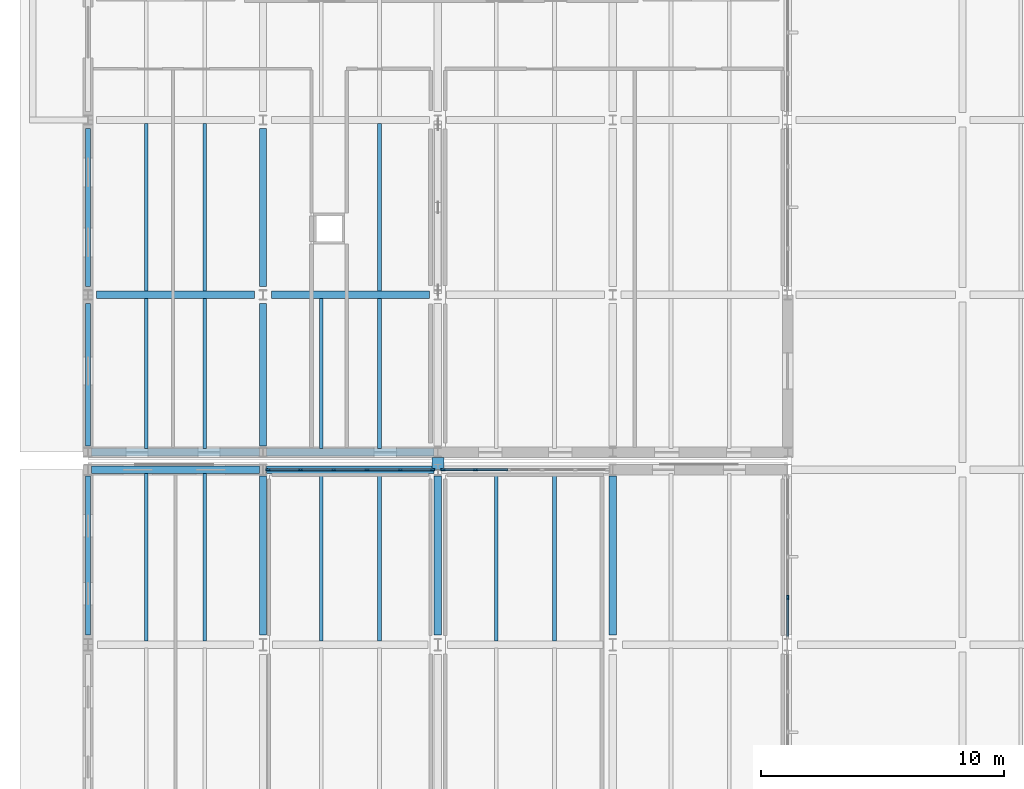
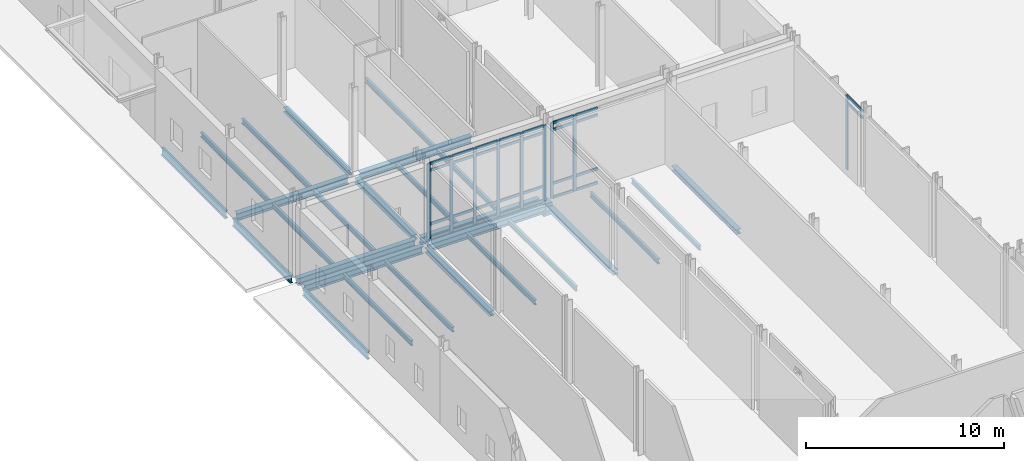
# One storey, part 18 of 89: 39 members, 28 beams, 3 elements without a shape of their own.
"""IFC4 building model written with IfcOpenShell, lengths in metres."""

import ifcopenshell
import ifcopenshell.guid

model = None  # the IFC model being written
_history = None  # IfcOwnerHistory: only IFC2X3 demands one
_inside = {}  # id of a spatial element -> (the spatial element, [elements in it])
_under = {}  # id of a project, library or spatial element -> (it, [spatial elements below it])
_declared = {}  # id of a project -> (the project, [libraries it declares])
_typed = {}  # id of a type object -> (the type object, [elements of that type])
_made_of = {}  # id of a material, layer set ... -> (it, [elements and type objects made of it])


def new_model(schema):
    """Start an empty IFC model of exactly this schema.

    Asked for "IFC4X3", IfcOpenShell would pick the latest addendum, in which some entities
    have other attributes; the version numbers below select the first issue.
    IFC2X3 requires an IfcOwnerHistory on every rooted entity: one is made here for all.
    """
    global model, _history
    if schema == "IFC4X3":
        model = ifcopenshell.file(schema_version=(4, 3, 0, 0))
    else:
        model = ifcopenshell.file(schema=schema)
    _inside.clear()
    _under.clear()
    _declared.clear()
    _typed.clear()
    _made_of.clear()
    _history = None
    if model.schema == "IFC2X3":
        org = make("IfcOrganization", Name="unknown")
        user = make(
            "IfcPersonAndOrganization",
            ThePerson=make("IfcPerson", FamilyName="unknown"),
            TheOrganization=org,
        )
        app = make(
            "IfcApplication",
            ApplicationDeveloper=org,
            Version="unknown",
            ApplicationFullName="unknown",
            ApplicationIdentifier="unknown",
        )
        _history = make(
            "IfcOwnerHistory",
            OwningUser=user,
            OwningApplication=app,
            ChangeAction="ADDED",
            CreationDate=0,
        )
    return model


def make(cls, **values):
    """One entity of the class cls with the attributes given. An attribute that is None is left unset."""
    return model.create_entity(
        cls, **{name: value for name, value in values.items() if value is not None}
    )


def rooted(cls, **values):
    """An entity with a GlobalId (a new one), such as an element, a storey or a relation."""
    return make(cls, GlobalId=ifcopenshell.guid.new(), OwnerHistory=_history, **values)


def si_unit(unit_type, name, prefix=None):
    """IfcSIUnit, for example si_unit("LENGTHUNIT", "METRE", prefix="MILLI")."""
    return make("IfcSIUnit", UnitType=unit_type, Prefix=prefix, Name=name)


def assignment(units):
    """IfcUnitAssignment: the units of a project."""
    return None if units is None else make("IfcUnitAssignment", Units=units)


def point(xyz):
    """IfcCartesianPoint."""
    return None if xyz is None else make("IfcCartesianPoint", Coordinates=xyz)


def direction(xyz):
    """IfcDirection."""
    return None if xyz is None else make("IfcDirection", DirectionRatios=xyz)


def frame(location, z_axis=None, x_axis=None):
    """IfcAxis2Placement3D, a coordinate frame: its origin and axes. An axis left out is left unset."""
    return make(
        "IfcAxis2Placement3D",
        Location=point(location),
        Axis=direction(z_axis),
        RefDirection=direction(x_axis),
    )


def frame_2d(location, x_axis=None):
    """IfcAxis2Placement2D, a coordinate frame in the plane: its origin and x axis."""
    return make(
        "IfcAxis2Placement2D", Location=point(location), RefDirection=direction(x_axis)
    )


def origin():
    """The frame at (0, 0, 0) with its axes left unset."""
    return frame((0.0, 0.0, 0.0))


def origin_2d():
    """The frame at (0, 0) in the plane with its x axis left unset."""
    return frame_2d((0.0, 0.0))


def place(relative_to, where):
    """IfcLocalPlacement: puts the frame where relative to a parent placement (None: the world)."""
    return make(
        "IfcLocalPlacement", PlacementRelTo=relative_to, RelativePlacement=where
    )


def context(
    kind, dimensions, precision=None, world=None, true_north=None, identifier=None
):
    """IfcGeometricRepresentationContext, for example the 3D "Model" context."""
    return make(
        "IfcGeometricRepresentationContext",
        ContextIdentifier=identifier,
        ContextType=kind,
        CoordinateSpaceDimension=dimensions,
        Precision=precision,
        WorldCoordinateSystem=world,
        TrueNorth=true_north,
    )


def subcontext(parent, identifier, kind, view, scale=None):
    """IfcGeometricRepresentationSubContext, for example "Body" below "Model"."""
    return make(
        "IfcGeometricRepresentationSubContext",
        ContextIdentifier=identifier,
        ContextType=kind,
        ParentContext=parent,
        TargetScale=scale,
        TargetView=view,
    )


def project(units=None, contexts=None):
    """IfcProject with its units and contexts."""
    return rooted(
        "IfcProject",
        Name="project",
        RepresentationContexts=contexts,
        UnitsInContext=assignment(units),
    )


def spatial(cls, under=None, at=None, **own):
    """A site, building, storey or space (cls), placed at a placement, below another one or the project."""
    s = rooted(cls, ObjectPlacement=at, **own)
    if under is not None:
        _under.setdefault(under.id(), (under, []))[1].append(s)
    return s


def profile(cls, at=None, kind="AREA", **sizes):
    """A parametric profile (cls). Its sizes go by their IFC names, for example OverallWidth=200.0."""
    return make(cls, ProfileType=kind, Position=at, **sizes)


def rectangle(**sizes):
    """IfcRectangleProfileDef."""
    return profile("IfcRectangleProfileDef", **sizes)


def i_section(**sizes):
    """IfcIShapeProfileDef."""
    return profile("IfcIShapeProfileDef", **sizes)


def extrude(swept, where, along, depth):
    """IfcExtrudedAreaSolid: the profile swept, set in the frame where, extruded along a direction by depth."""
    return make(
        "IfcExtrudedAreaSolid",
        SweptArea=swept,
        Position=where,
        ExtrudedDirection=direction(along),
        Depth=depth,
    )


def shape(context_of_items, identifier, shape_type, items):
    """IfcShapeRepresentation: the items that make up one representation, for example the "Body"."""
    return make(
        "IfcShapeRepresentation",
        ContextOfItems=context_of_items,
        RepresentationIdentifier=identifier,
        RepresentationType=shape_type,
        Items=items,
    )


def material(Name=None, Category=None):
    """IfcMaterial."""
    return make("IfcMaterial", Name=Name, Category=Category)


def layer(
    of_material, thickness, ventilated=None, Name=None, Category=None, Priority=None
):
    """IfcMaterialLayer: one layer of a wall or slab, of a material (None: an air gap)."""
    return make(
        "IfcMaterialLayer",
        Material=of_material,
        LayerThickness=thickness,
        IsVentilated=ventilated,
        Name=Name,
        Category=Category,
        Priority=Priority,
    )


def layer_set(layers, Name=None):
    """IfcMaterialLayerSet."""
    return make("IfcMaterialLayerSet", MaterialLayers=layers, LayerSetName=Name)


def material_profile(
    of_material, cross_section, Name=None, Category=None, Priority=None
):
    """IfcMaterialProfile: a cross section and its material."""
    return make(
        "IfcMaterialProfile",
        Name=Name,
        Material=of_material,
        Profile=cross_section,
        Priority=Priority,
        Category=Category,
    )


def profile_set(profiles, Name=None, composite=None):
    """IfcMaterialProfileSet."""
    return make(
        "IfcMaterialProfileSet",
        Name=Name,
        MaterialProfiles=profiles,
        CompositeProfile=composite,
    )


def made_of(thing, what):
    """Note that an element or type object is made of a material, layer set ...; save() writes the relation."""
    if what is not None:
        _made_of.setdefault(what.id(), (what, []))[1].append(thing)
    return thing


def type_object(cls, material=None, **own):
    """A type object (cls), such as IfcWallType, which elements share."""
    return made_of(rooted(cls, **own), material)


def element(
    cls,
    number,
    at=None,
    inside=None,
    cuts=None,
    type_object=None,
    material=None,
    context=None,
    identifier="Body",
    shape_type=None,
    held_by="IfcProductDefinitionShape",
    body=None,
    shapes=None,
    **own,
):
    """One element of the class cls, such as IfcWall. Its Tag is "e" and its number.

    at: its placement. inside: the storey or other place that contains it. cuts: it is an
    opening in that element (IfcRelVoidsElement). A single representation is given by context,
    identifier, shape_type and body (its items); several are given by shapes. held_by: the class
    of the entity that holds the representations. save() writes the other relations.
    """
    e = rooted(cls, Tag="e%d" % number, ObjectPlacement=at, **own)
    if body is not None:
        shapes = [shape(context, identifier, shape_type, body)]
    if shapes is not None:
        e.Representation = make(held_by, Representations=shapes)
    if inside is not None:
        _inside.setdefault(inside.id(), (inside, []))[1].append(e)
    if cuts is not None:
        rooted(
            "IfcRelVoidsElement", RelatingBuildingElement=cuts, RelatedOpeningElement=e
        )
    if type_object is not None:
        _typed.setdefault(type_object.id(), (type_object, []))[1].append(e)
    return made_of(e, material)


def aggregate(whole, parts):
    """IfcRelAggregates: a whole, such as a stair, and the parts it consists of."""
    return rooted("IfcRelAggregates", RelatingObject=whole, RelatedObjects=parts)


def save(model, path):
    """Write the relations noted so far, then the file.

    IfcRelAggregates (storeys below a building ...), IfcRelContainedInSpatialStructure (elements
    in a storey), IfcRelDefinesByType, IfcRelAssociatesMaterial and IfcRelDeclares: one each for
    every whole, place, type object, material and project.
    """
    for whole, parts in _under.values():
        aggregate(whole, parts)
    for where, things in _inside.values():
        rooted(
            "IfcRelContainedInSpatialStructure",
            RelatedElements=things,
            RelatingStructure=where,
        )
    for kind, things in _typed.values():
        rooted("IfcRelDefinesByType", RelatedObjects=things, RelatingType=kind)
    for what, things in _made_of.values():
        rooted("IfcRelAssociatesMaterial", RelatedObjects=things, RelatingMaterial=what)
    for by, libraries in _declared.values():
        rooted("IfcRelDeclares", RelatingContext=by, RelatedDefinitions=libraries)
    model.write(path)


model = new_model("IFC4")

# Units and contexts
model_context = context("Model", 3, precision=1e-05, world=origin(), true_north=direction((0.0, 1.0)))
body_context = subcontext(model_context, "Body", "Model", "MODEL_VIEW")
ifc_project = project(units=[si_unit("LENGTHUNIT", "METRE"), si_unit("AREAUNIT", "SQUARE_METRE"), si_unit("VOLUMEUNIT", "CUBIC_METRE"), si_unit("PLANEANGLEUNIT", "RADIAN"), si_unit("MASSUNIT", "GRAM", prefix="KILO")], contexts=[model_context])

# Site, building, storey
site_placement = place(None, origin())
site = spatial("IfcSite", under=ifc_project, at=site_placement, CompositionType="ELEMENT")
building_placement = place(site_placement, origin())
building = spatial("IfcBuilding", under=site, at=building_placement, Name="Zarrinpeak Specialist Clinic", CompositionType="ELEMENT")
storey_placement = place(building_placement, origin())
storey = spatial("IfcBuildingStorey", under=building, at=storey_placement, Name="L00", CompositionType="ELEMENT", Elevation=0.0)

# Beams
ifc_material_1 = material(Name="Steel S355", Category="steel")
ifc_material_profile_1 = material_profile(ifc_material_1, i_section(OverallWidth=0.300048828125, OverallDepth=0.2900390625, WebThickness=0.008544921875, FlangeThickness=0.013916015625, FilletRadius=0.027099609375, at=origin_2d()), Name="HEA 300")
ifc_profile_set_1 = profile_set([ifc_material_profile_1], Name="Steel S355")
beam_type_1 = type_object("IfcBeamType", Name="BM-HEA300", PredefinedType="BEAM", material=ifc_profile_set_1)
beam_1_placement = place(storey_placement, frame((7.199951171875, 43.597900390625, -0.39501953125), z_axis=(0.0, 1.0, 0.0), x_axis=(-1.0, 0.0, 0.0)))
element("IfcBeam", 1, at=beam_1_placement, inside=storey, type_object=beam_type_1, Name="L00 Primary Beam BM-L00-Y0224", PredefinedType="BEAM", context=body_context, shape_type="SweptSolid", body=[
    extrude(i_section(OverallWidth=0.300048828125, OverallDepth=0.2900390625, WebThickness=0.008544921875, FlangeThickness=0.013916015625, FilletRadius=0.027099609375, at=origin_2d()), origin(), (0.0, 0.0, 1.0), 6.55419921875),
])
beam_2_placement = place(storey_placement, frame((7.199951171875, 51.367919921875, -0.405029296875), z_axis=(0.0, 1.0, 0.0), x_axis=(-1.0, 0.0, 0.0)))
element("IfcBeam", 2, at=beam_2_placement, inside=storey, type_object=beam_type_1, Name="L00 Primary Beam BM-L00-Y0225", PredefinedType="BEAM", context=body_context, shape_type="SweptSolid", body=[
    extrude(i_section(OverallWidth=0.300048828125, OverallDepth=0.2900390625, WebThickness=0.008544921875, FlangeThickness=0.013916015625, FilletRadius=0.027099609375, at=origin_2d()), origin(), (0.0, 0.0, 1.0), 5.884033203125),
])
beam_3_placement = place(storey_placement, frame((7.199951171875, 57.947998046875, -0.405029296875), z_axis=(0.0, 1.0, 0.0), x_axis=(-1.0, 0.0, 0.0)))
element("IfcBeam", 3, at=beam_3_placement, inside=storey, type_object=beam_type_1, Name="L00 Primary Beam BM-L00-Y0226", PredefinedType="BEAM", context=body_context, shape_type="SweptSolid", body=[
    extrude(i_section(OverallWidth=0.300048828125, OverallDepth=0.2900390625, WebThickness=0.008544921875, FlangeThickness=0.013916015625, FilletRadius=0.027099609375, at=origin_2d()), origin(), (0.0, 0.0, 1.0), 6.50390625),
])
for number, where, z_axis, x_axis, name in (
    (4, (14.39990234375, 43.597900390625, -0.39501953125), (0.0, 1.0, 0.0), (-1.0, 0.0, 0.0), "L00 Primary Beam BM-L00-Y0236"),
    (5, (21.60009765625, 43.597900390625, -0.39501953125), (0.0, 1.0, 0.0), (-1.0, 0.0, 0.0), "L00 Primary Beam BM-L00-Y0248"),
):
    element("IfcBeam", number, at=place(storey_placement, frame(where, z_axis=z_axis, x_axis=x_axis)), inside=storey, type_object=beam_type_1, Name=name, PredefinedType="BEAM", context=body_context, shape_type="SweptSolid", body=[
        extrude(i_section(OverallWidth=0.300048828125, OverallDepth=0.2900390625, WebThickness=0.008544921875, FlangeThickness=0.013916015625, FilletRadius=0.027099609375, at=origin_2d()), origin(), (0.0, 0.0, 1.0), 6.55419921875),
    ])
ifc_material_profile_2 = material_profile(ifc_material_1, i_section(OverallWidth=0.300048828125, OverallDepth=0.43994140625, WebThickness=0.011474609375, FlangeThickness=0.02099609375, FilletRadius=0.027099609375, at=origin_2d()), Name="HEA 450")
ifc_profile_set_2 = profile_set([ifc_material_profile_2], Name="Steel S355")
beam_type_2 = type_object("IfcBeamType", Name="BM-HEA450", PredefinedType="BEAM", material=ifc_profile_set_2)
for number, where, z_axis, x_axis, name in (
    (6, (0.14794921875, 50.39990234375, -0.469970703125), (1.0, 0.0, 0.0), (0.0, 1.0, 0.0), "L00 Primary Floor Girder BM-L00-X0102"),
    (7, (7.347900390625, 50.39990234375, -0.469970703125), (1.0, 0.0, 0.0), (0.0, 1.0, 0.0), "L00 Primary Floor Girder BM-L00-X0103"),
    (8, (0.14794921875, 51.1201171875, -0.47998046875), (1.0, 0.0, 0.0), (0.0, 1.0, 0.0), "L00 Primary Floor Girder BM-L00-X0124"),
    (9, (7.347900390625, 51.1201171875, -0.47998046875), (1.0, 0.0, 0.0), (0.0, 1.0, 0.0), "L00 Primary Floor Girder BM-L00-X0125"),
):
    element("IfcBeam", number, at=place(storey_placement, frame(where, z_axis=z_axis, x_axis=x_axis)), inside=storey, type_object=beam_type_2, Name=name, PredefinedType="BEAM", context=body_context, shape_type="SweptSolid", body=[
        extrude(i_section(OverallWidth=0.300048828125, OverallDepth=0.43994140625, WebThickness=0.011474609375, FlangeThickness=0.02099609375, FilletRadius=0.027099609375, at=origin_2d()), origin(), (0.0, 0.0, 1.0), 6.904052734375),
    ])
beam_4_placement = place(storey_placement, frame((0.347900390625, 57.60009765625, -0.47998046875), z_axis=(1.0, 0.0, 0.0), x_axis=(0.0, 1.0, 0.0)))
element("IfcBeam", 10, at=beam_4_placement, inside=storey, type_object=beam_type_2, Name="L00 Primary Floor Girder BM-L00-X0128", PredefinedType="BEAM", context=body_context, shape_type="SweptSolid", body=[
    extrude(i_section(OverallWidth=0.300048828125, OverallDepth=0.43994140625, WebThickness=0.011474609375, FlangeThickness=0.02099609375, FilletRadius=0.027099609375, at=origin_2d()), origin(), (0.0, 0.0, 1.0), 6.504150390625),
])
beam_5_placement = place(storey_placement, frame((7.548095703125, 57.60009765625, -0.47998046875), z_axis=(1.0, 0.0, 0.0), x_axis=(0.0, 1.0, 0.0)))
element("IfcBeam", 11, at=beam_5_placement, inside=storey, type_object=beam_type_2, Name="L00 Primary Floor Girder BM-L00-X0129", PredefinedType="BEAM", context=body_context, shape_type="SweptSolid", body=[
    extrude(i_section(OverallWidth=0.300048828125, OverallDepth=0.43994140625, WebThickness=0.011474609375, FlangeThickness=0.02099609375, FilletRadius=0.027099609375, at=origin_2d()), origin(), (0.0, 0.0, 1.0), 6.50390625),
])
ifc_material_profile_3 = material_profile(ifc_material_1, i_section(OverallWidth=0.14990234375, OverallDepth=0.300048828125, WebThickness=0.007080078125, FlangeThickness=0.0107421875, FilletRadius=0.014892578125, at=origin_2d()), Name="IPE 300")
ifc_profile_set_3 = profile_set([ifc_material_profile_3], Name="Steel S355")
beam_type_3 = type_object("IfcBeamType", Name="BM-JST300", PredefinedType="JOIST", material=ifc_profile_set_3)
for number, where, z_axis, x_axis, name in (
    (12, (2.39990234375, 43.347900390625, -0.39990234375), (0.0, 1.0, 0.0), (-1.0, 0.0, 0.0), "L00 Composite Floor Joist JST-L00-0419"),
    (13, (4.800048828125, 43.347900390625, -0.39990234375), (0.0, 1.0, 0.0), (-1.0, 0.0, 0.0), "L00 Composite Floor Joist JST-L00-0420"),
    (14, (9.60009765625, 43.347900390625, -0.39990234375), (0.0, 1.0, 0.0), (-1.0, 0.0, 0.0), "L00 Composite Floor Joist JST-L00-0433"),
    (15, (12.0, 43.347900390625, -0.39990234375), (0.0, 1.0, 0.0), (-1.0, 0.0, 0.0), "L00 Composite Floor Joist JST-L00-0434"),
    (16, (16.800048828125, 43.347900390625, -0.39990234375), (0.0, 1.0, 0.0), (-1.0, 0.0, 0.0), "L00 Composite Floor Joist JST-L00-0447"),
    (17, (19.199951171875, 43.347900390625, -0.39990234375), (0.0, 1.0, 0.0), (-1.0, 0.0, 0.0), "L00 Composite Floor Joist JST-L00-0448"),
):
    element("IfcBeam", number, at=place(storey_placement, frame(where, z_axis=z_axis, x_axis=x_axis)), inside=storey, type_object=beam_type_3, Name=name, PredefinedType="JOIST", context=body_context, shape_type="SweptSolid", body=[
        extrude(i_section(OverallWidth=0.14990234375, OverallDepth=0.300048828125, WebThickness=0.007080078125, FlangeThickness=0.0107421875, FilletRadius=0.014892578125, at=origin_2d()), origin(), (0.0, 0.0, 1.0), 6.904052734375),
    ])
for number, where, z_axis, x_axis, name in (
    (18, (2.39990234375, 51.26806640625, -0.409912109375), (0.0, 1.0, 0.0), (-1.0, 0.0, 0.0), "L00 Composite Floor Joist JST-L00-0541"),
    (19, (4.800048828125, 51.26806640625, -0.409912109375), (0.0, 1.0, 0.0), (-1.0, 0.0, 0.0), "L00 Composite Floor Joist JST-L00-0542"),
):
    element("IfcBeam", number, at=place(storey_placement, frame(where, z_axis=z_axis, x_axis=x_axis)), inside=storey, type_object=beam_type_3, Name=name, PredefinedType="JOIST", context=body_context, shape_type="SweptSolid", body=[
        extrude(i_section(OverallWidth=0.14990234375, OverallDepth=0.300048828125, WebThickness=0.007080078125, FlangeThickness=0.0107421875, FilletRadius=0.014892578125, at=origin_2d()), origin(), (0.0, 0.0, 1.0), 6.183837890625),
    ])
for number, where, z_axis, x_axis, name in (
    (20, (2.39990234375, 57.748046875, -0.409912109375), (0.0, 1.0, 0.0), (-1.0, 0.0, 0.0), "L00 Composite Floor Joist JST-L00-0543"),
    (21, (4.800048828125, 57.748046875, -0.409912109375), (0.0, 1.0, 0.0), (-1.0, 0.0, 0.0), "L00 Composite Floor Joist JST-L00-0544"),
):
    element("IfcBeam", number, at=place(storey_placement, frame(where, z_axis=z_axis, x_axis=x_axis)), inside=storey, type_object=beam_type_3, Name=name, PredefinedType="JOIST", context=body_context, shape_type="SweptSolid", body=[
        extrude(i_section(OverallWidth=0.14990234375, OverallDepth=0.300048828125, WebThickness=0.007080078125, FlangeThickness=0.0107421875, FilletRadius=0.014892578125, at=origin_2d()), origin(), (0.0, 0.0, 1.0), 6.904052734375),
    ])
for number, where, z_axis, x_axis, name in (
    (22, (9.60009765625, 51.26806640625, -0.409912109375), (0.0, 1.0, 0.0), (-1.0, 0.0, 0.0), "L00 Composite Floor Joist JST-L00-0547"),
    (23, (12.0, 51.26806640625, -0.409912109375), (0.0, 1.0, 0.0), (-1.0, 0.0, 0.0), "L00 Composite Floor Joist JST-L00-0548"),
):
    element("IfcBeam", number, at=place(storey_placement, frame(where, z_axis=z_axis, x_axis=x_axis)), inside=storey, type_object=beam_type_3, Name=name, PredefinedType="JOIST", context=body_context, shape_type="SweptSolid", body=[
        extrude(i_section(OverallWidth=0.14990234375, OverallDepth=0.300048828125, WebThickness=0.007080078125, FlangeThickness=0.0107421875, FilletRadius=0.014892578125, at=origin_2d()), origin(), (0.0, 0.0, 1.0), 6.183837890625),
    ])
beam_6_placement = place(storey_placement, frame((12.0, 57.748046875, -0.409912109375), z_axis=(0.0, 1.0, 0.0), x_axis=(-1.0, 0.0, 0.0)))
element("IfcBeam", 24, at=beam_6_placement, inside=storey, type_object=beam_type_3, Name="L00 Composite Floor Joist JST-L00-0549", PredefinedType="JOIST", context=body_context, shape_type="SweptSolid", body=[
    extrude(i_section(OverallWidth=0.14990234375, OverallDepth=0.300048828125, WebThickness=0.007080078125, FlangeThickness=0.0107421875, FilletRadius=0.014892578125, at=origin_2d()), origin(), (0.0, 0.0, 1.0), 6.904052734375),
])
ifc_material_2 = material(Name="Concrete C40/50", Category="concrete")
ifc_material_profile_4 = material_profile(ifc_material_2, rectangle(XDim=0.5, YDim=0.75, at=origin_2d()), Name="RC 500x750")
ifc_profile_set_4 = profile_set([ifc_material_profile_4], Name="Concrete C40/50")
beam_type_4 = type_object("IfcBeamType", Name="BM-RC500", PredefinedType="BEAM", material=ifc_profile_set_4)
beam_7_placement = place(storey_placement, frame((14.39990234375, 50.39990234375, -0.625), z_axis=(0.0, 1.0, 0.0), x_axis=(-1.0, 0.0, 0.0)))
element("IfcBeam", 25, at=beam_7_placement, inside=storey, type_object=beam_type_4, Name="L00 500 mm Bridge Seat Corbel SJ-4", PredefinedType="BEAM", context=body_context, shape_type="SweptSolid", body=[
    extrude(rectangle(XDim=0.5, YDim=0.75, at=origin_2d()), origin(), (0.0, 0.0, 1.0), 0.5),
])
ifc_material_profile_5 = material_profile(ifc_material_1, i_section(OverallWidth=0.18994140625, OverallDepth=0.449951171875, WebThickness=0.009521484375, FlangeThickness=0.0146484375, FilletRadius=0.02099609375, at=origin_2d()), Name="IPE 450")
ifc_profile_set_5 = profile_set([ifc_material_profile_5], Name="Steel S355")
beam_type_5 = type_object("IfcBeamType", Name="BM-SP450", PredefinedType="SPANDREL", material=ifc_profile_set_5)
beam_8_placement = place(storey_placement, frame((0.0, 43.597900390625, -0.47509765625), z_axis=(0.0, 1.0, 0.0), x_axis=(-1.0, 0.0, 0.0)))
element("IfcBeam", 26, at=beam_8_placement, inside=storey, type_object=beam_type_5, Name="L00 Perimeter Spandrel Beam BM-L00-Y0214", PredefinedType="SPANDREL", context=body_context, shape_type="SweptSolid", body=[
    extrude(i_section(OverallWidth=0.18994140625, OverallDepth=0.449951171875, WebThickness=0.009521484375, FlangeThickness=0.0146484375, FilletRadius=0.02099609375, at=origin_2d()), origin(), (0.0, 0.0, 1.0), 6.55419921875),
])
beam_9_placement = place(storey_placement, frame((0.0, 51.367919921875, -0.485107421875), z_axis=(0.0, 1.0, 0.0), x_axis=(-1.0, 0.0, 0.0)))
element("IfcBeam", 27, at=beam_9_placement, inside=storey, type_object=beam_type_5, Name="L00 Perimeter Spandrel Beam BM-L00-Y0215", PredefinedType="SPANDREL", context=body_context, shape_type="SweptSolid", body=[
    extrude(i_section(OverallWidth=0.18994140625, OverallDepth=0.449951171875, WebThickness=0.009521484375, FlangeThickness=0.0146484375, FilletRadius=0.02099609375, at=origin_2d()), origin(), (0.0, 0.0, 1.0), 5.884033203125),
])
beam_10_placement = place(storey_placement, frame((0.0, 57.947998046875, -0.485107421875), z_axis=(0.0, 1.0, 0.0), x_axis=(-1.0, 0.0, 0.0)))
element("IfcBeam", 28, at=beam_10_placement, inside=storey, type_object=beam_type_5, Name="L00 Perimeter Spandrel Beam BM-L00-Y0216", PredefinedType="SPANDREL", context=body_context, shape_type="SweptSolid", body=[
    extrude(i_section(OverallWidth=0.18994140625, OverallDepth=0.449951171875, WebThickness=0.009521484375, FlangeThickness=0.0146484375, FilletRadius=0.02099609375, at=origin_2d()), origin(), (0.0, 0.0, 1.0), 6.50390625),
])

# Curtain wall, members
ifc_material_3 = material(Name="Anodised Aluminium Alloy 6063-T6", Category="aluminium")
ifc_layer_1 = layer(ifc_material_3, 0.1650390625)
ifc_layer_set_1 = layer_set([ifc_layer_1], Name="Anodised Aluminium Alloy 6063-T6")
curtain_wall_type_1 = type_object("IfcCurtainWallType", Name="CW-CLINIC", PredefinedType="NOTDEFINED", material=ifc_layer_set_1)
curtain_wall_1_placement = place(storey_placement, origin())
curtain_wall_1 = element("IfcCurtainWall", 29, at=curtain_wall_1_placement, inside=storey, type_object=curtain_wall_type_1, Name="L00 V1 Unitised Curtain Wall CW-L00-V1-001", PredefinedType="NOTDEFINED")
ifc_material_profile_6 = material_profile(ifc_material_3, rectangle(XDim=0.074951171875, YDim=0.179931640625, at=origin_2d()), Name="ALU 75x180")
ifc_profile_set_6 = profile_set([ifc_material_profile_6], Name="Anodised Aluminium Alloy 6063-T6")
member_type_1 = type_object("IfcMemberType", Name="CWM-75", PredefinedType="MULLION", material=ifc_profile_set_6)
member_1_placement = place(storey_placement, frame((14.1875, 50.39990234375, 0.0), z_axis=(0.0, 0.0, 1.0), x_axis=(0.0, -1.0, 0.0)))
member_1 = element("IfcMember", 30, at=member_1_placement, type_object=member_type_1, Name="CW-03 mullion 1", PredefinedType="MULLION", context=body_context, shape_type="SweptSolid", body=[
    extrude(rectangle(XDim=0.074951171875, YDim=0.179931640625, at=origin_2d()), origin(), (0.0, 0.0, 1.0), 4.6650390625),
])
member_2_placement = place(storey_placement, frame((12.85498046875, 50.39990234375, 0.0), z_axis=(0.0, 0.0, 1.0), x_axis=(0.0, -1.0, 0.0)))
member_2 = element("IfcMember", 31, at=member_2_placement, type_object=member_type_1, Name="CW-03 mullion 2", PredefinedType="MULLION", context=body_context, shape_type="SweptSolid", body=[
    extrude(rectangle(XDim=0.074951171875, YDim=0.179931640625, at=origin_2d()), origin(), (0.0, 0.0, 1.0), 4.6650390625),
])
member_3_placement = place(storey_placement, frame((11.485107421875, 50.39990234375, 0.0), z_axis=(0.0, 0.0, 1.0), x_axis=(0.0, -1.0, 0.0)))
member_3 = element("IfcMember", 32, at=member_3_placement, type_object=member_type_1, Name="CW-03 mullion 3", PredefinedType="MULLION", context=body_context, shape_type="SweptSolid", body=[
    extrude(rectangle(XDim=0.074951171875, YDim=0.179931640625, at=origin_2d()), origin(), (0.0, 0.0, 1.0), 4.6650390625),
])
member_4_placement = place(storey_placement, frame((10.114990234375, 50.39990234375, 0.0), z_axis=(0.0, 0.0, 1.0), x_axis=(0.0, -1.0, 0.0)))
member_4 = element("IfcMember", 33, at=member_4_placement, type_object=member_type_1, Name="CW-03 mullion 4", PredefinedType="MULLION", context=body_context, shape_type="SweptSolid", body=[
    extrude(rectangle(XDim=0.074951171875, YDim=0.179931640625, at=origin_2d()), origin(), (0.0, 0.0, 1.0), 4.6650390625),
])
member_5_placement = place(storey_placement, frame((8.7451171875, 50.39990234375, 0.0), z_axis=(0.0, 0.0, 1.0), x_axis=(0.0, -1.0, 0.0)))
member_5 = element("IfcMember", 34, at=member_5_placement, type_object=member_type_1, Name="CW-03 mullion 5", PredefinedType="MULLION", context=body_context, shape_type="SweptSolid", body=[
    extrude(rectangle(XDim=0.074951171875, YDim=0.179931640625, at=origin_2d()), origin(), (0.0, 0.0, 1.0), 4.6650390625),
])
member_6_placement = place(storey_placement, frame((7.41259765625, 50.39990234375, 0.0), z_axis=(0.0, 0.0, 1.0), x_axis=(0.0, -1.0, 0.0)))
member_6 = element("IfcMember", 35, at=member_6_placement, type_object=member_type_1, Name="CW-03 mullion 6", PredefinedType="MULLION", context=body_context, shape_type="SweptSolid", body=[
    extrude(rectangle(XDim=0.074951171875, YDim=0.179931640625, at=origin_2d()), origin(), (0.0, 0.0, 1.0), 4.6650390625),
])

curtain_wall_2_placement = place(storey_placement, origin())
curtain_wall_2 = element("IfcCurtainWall", 36, at=curtain_wall_2_placement, inside=storey, type_object=curtain_wall_type_1, Name="L00 V1 Unitised Curtain Wall CW-L00-V1-002", PredefinedType="NOTDEFINED")
member_7_placement = place(storey_placement, frame((15.945068359375, 50.39990234375, 0.0), z_axis=(0.0, 0.0, 1.0), x_axis=(0.0, -1.0, 0.0)))
member_7 = element("IfcMember", 37, at=member_7_placement, type_object=member_type_1, Name="CW-03 mullion 5", PredefinedType="MULLION", context=body_context, shape_type="SweptSolid", body=[
    extrude(rectangle(XDim=0.074951171875, YDim=0.179931640625, at=origin_2d()), origin(), (0.0, 0.0, 1.0), 4.6650390625),
])
member_8_placement = place(storey_placement, frame((14.612548828125, 50.39990234375, 0.0), z_axis=(0.0, 0.0, 1.0), x_axis=(0.0, -1.0, 0.0)))
member_8 = element("IfcMember", 38, at=member_8_placement, type_object=member_type_1, Name="CW-03 mullion 6", PredefinedType="MULLION", context=body_context, shape_type="SweptSolid", body=[
    extrude(rectangle(XDim=0.074951171875, YDim=0.179931640625, at=origin_2d()), origin(), (0.0, 0.0, 1.0), 4.6650390625),
])

# Curtain wall, member
ifc_layer_2 = layer(ifc_material_3, 0.179931640625)
ifc_layer_set_2 = layer_set([ifc_layer_2], Name="Anodised Aluminium Alloy 6063-T6")
curtain_wall_type_2 = type_object("IfcCurtainWallType", Name="CW-COURT", PredefinedType="NOTDEFINED", material=ifc_layer_set_2)
curtain_wall_3_placement = place(storey_placement, origin())
curtain_wall_3 = element("IfcCurtainWall", 39, at=curtain_wall_3_placement, inside=storey, type_object=curtain_wall_type_2, Name="L00 V1 Unitised Curtain Wall CW-L00-V1-006", PredefinedType="NOTDEFINED")
member_9_placement = place(storey_placement, frame((28.800048828125, 45.143798828125, 0.0), z_axis=(0.0, 0.0, 1.0), x_axis=(-1.0, 0.0, 0.0)))
member_9 = element("IfcMember", 40, at=member_9_placement, type_object=member_type_1, Name="CW-01 mullion 2", PredefinedType="MULLION", context=body_context, shape_type="SweptSolid", body=[
    extrude(rectangle(XDim=0.074951171875, YDim=0.179931640625, at=origin_2d()), origin(), (0.0, 0.0, 1.0), 4.594970703125),
])

# Member
ifc_material_profile_7 = material_profile(ifc_material_3, rectangle(XDim=0.074951171875, YDim=0.159912109375, at=origin_2d()), Name="ALU 75x160")
ifc_profile_set_7 = profile_set([ifc_material_profile_7], Name="Anodised Aluminium Alloy 6063-T6")
member_type_2 = type_object("IfcMemberType", Name="CWT-75", PredefinedType="USERDEFINED", material=ifc_profile_set_7)
member_10_placement = place(storey_placement, frame((14.14990234375, 50.39990234375, 0.03759765625), z_axis=(-1.0, 0.0, 0.0), x_axis=(0.0, -1.0, 0.0)))
member_10 = element("IfcMember", 41, at=member_10_placement, type_object=member_type_2, Name="CW-03 transom 1.1", ObjectType="TRANSOM", PredefinedType="USERDEFINED", context=body_context, shape_type="SweptSolid", body=[
    extrude(rectangle(XDim=0.074951171875, YDim=0.159912109375, at=origin_2d()), origin(), (0.0, 0.0, 1.0), 1.25732421875),
])

member_11_placement = place(storey_placement, frame((14.14990234375, 50.39990234375, 0.89990234375), z_axis=(-1.0, 0.0, 0.0), x_axis=(0.0, -1.0, 0.0)))
member_11 = element("IfcMember", 42, at=member_11_placement, type_object=member_type_2, Name="CW-03 transom 1.2", ObjectType="TRANSOM", PredefinedType="USERDEFINED", context=body_context, shape_type="SweptSolid", body=[
    extrude(rectangle(XDim=0.074951171875, YDim=0.159912109375, at=origin_2d()), origin(), (0.0, 0.0, 1.0), 1.25732421875),
])

member_12_placement = place(storey_placement, frame((14.14990234375, 50.39990234375, 4.215087890625), z_axis=(-1.0, 0.0, 0.0), x_axis=(0.0, -1.0, 0.0)))
member_12 = element("IfcMember", 43, at=member_12_placement, type_object=member_type_2, Name="CW-03 transom 1.3", ObjectType="TRANSOM", PredefinedType="USERDEFINED", context=body_context, shape_type="SweptSolid", body=[
    extrude(rectangle(XDim=0.074951171875, YDim=0.159912109375, at=origin_2d()), origin(), (0.0, 0.0, 1.0), 1.25732421875),
])

member_13_placement = place(storey_placement, frame((14.14990234375, 50.39990234375, 4.62744140625), z_axis=(-1.0, 0.0, 0.0), x_axis=(0.0, -1.0, 0.0)))
member_13 = element("IfcMember", 44, at=member_13_placement, type_object=member_type_2, Name="CW-03 transom 1.4", ObjectType="TRANSOM", PredefinedType="USERDEFINED", context=body_context, shape_type="SweptSolid", body=[
    extrude(rectangle(XDim=0.074951171875, YDim=0.159912109375, at=origin_2d()), origin(), (0.0, 0.0, 1.0), 1.25732421875),
])

member_14_placement = place(storey_placement, frame((12.8173828125, 50.39990234375, 0.03759765625), z_axis=(-1.0, 0.0, 0.0), x_axis=(0.0, -1.0, 0.0)))
member_14 = element("IfcMember", 45, at=member_14_placement, type_object=member_type_2, Name="CW-03 transom 2.1", ObjectType="TRANSOM", PredefinedType="USERDEFINED", context=body_context, shape_type="SweptSolid", body=[
    extrude(rectangle(XDim=0.074951171875, YDim=0.159912109375, at=origin_2d()), origin(), (0.0, 0.0, 1.0), 1.294921875),
])

member_15_placement = place(storey_placement, frame((12.8173828125, 50.39990234375, 0.89990234375), z_axis=(-1.0, 0.0, 0.0), x_axis=(0.0, -1.0, 0.0)))
member_15 = element("IfcMember", 46, at=member_15_placement, type_object=member_type_2, Name="CW-03 transom 2.2", ObjectType="TRANSOM", PredefinedType="USERDEFINED", context=body_context, shape_type="SweptSolid", body=[
    extrude(rectangle(XDim=0.074951171875, YDim=0.159912109375, at=origin_2d()), origin(), (0.0, 0.0, 1.0), 1.294921875),
])

member_16_placement = place(storey_placement, frame((12.8173828125, 50.39990234375, 4.215087890625), z_axis=(-1.0, 0.0, 0.0), x_axis=(0.0, -1.0, 0.0)))
member_16 = element("IfcMember", 47, at=member_16_placement, type_object=member_type_2, Name="CW-03 transom 2.3", ObjectType="TRANSOM", PredefinedType="USERDEFINED", context=body_context, shape_type="SweptSolid", body=[
    extrude(rectangle(XDim=0.074951171875, YDim=0.159912109375, at=origin_2d()), origin(), (0.0, 0.0, 1.0), 1.294921875),
])

member_17_placement = place(storey_placement, frame((12.8173828125, 50.39990234375, 4.62744140625), z_axis=(-1.0, 0.0, 0.0), x_axis=(0.0, -1.0, 0.0)))
member_17 = element("IfcMember", 48, at=member_17_placement, type_object=member_type_2, Name="CW-03 transom 2.4", ObjectType="TRANSOM", PredefinedType="USERDEFINED", context=body_context, shape_type="SweptSolid", body=[
    extrude(rectangle(XDim=0.074951171875, YDim=0.159912109375, at=origin_2d()), origin(), (0.0, 0.0, 1.0), 1.294921875),
])

member_18_placement = place(storey_placement, frame((11.447509765625, 50.39990234375, 0.03759765625), z_axis=(-1.0, 0.0, 0.0), x_axis=(0.0, -1.0, 0.0)))
member_18 = element("IfcMember", 49, at=member_18_placement, type_object=member_type_2, Name="CW-03 transom 3.1", ObjectType="TRANSOM", PredefinedType="USERDEFINED", context=body_context, shape_type="SweptSolid", body=[
    extrude(rectangle(XDim=0.074951171875, YDim=0.159912109375, at=origin_2d()), origin(), (0.0, 0.0, 1.0), 1.294921875),
])

member_19_placement = place(storey_placement, frame((11.447509765625, 50.39990234375, 0.89990234375), z_axis=(-1.0, 0.0, 0.0), x_axis=(0.0, -1.0, 0.0)))
member_19 = element("IfcMember", 50, at=member_19_placement, type_object=member_type_2, Name="CW-03 transom 3.2", ObjectType="TRANSOM", PredefinedType="USERDEFINED", context=body_context, shape_type="SweptSolid", body=[
    extrude(rectangle(XDim=0.074951171875, YDim=0.159912109375, at=origin_2d()), origin(), (0.0, 0.0, 1.0), 1.294921875),
])

member_20_placement = place(storey_placement, frame((11.447509765625, 50.39990234375, 4.215087890625), z_axis=(-1.0, 0.0, 0.0), x_axis=(0.0, -1.0, 0.0)))
member_20 = element("IfcMember", 51, at=member_20_placement, type_object=member_type_2, Name="CW-03 transom 3.3", ObjectType="TRANSOM", PredefinedType="USERDEFINED", context=body_context, shape_type="SweptSolid", body=[
    extrude(rectangle(XDim=0.074951171875, YDim=0.159912109375, at=origin_2d()), origin(), (0.0, 0.0, 1.0), 1.294921875),
])

member_21_placement = place(storey_placement, frame((11.447509765625, 50.39990234375, 4.62744140625), z_axis=(-1.0, 0.0, 0.0), x_axis=(0.0, -1.0, 0.0)))
member_21 = element("IfcMember", 52, at=member_21_placement, type_object=member_type_2, Name="CW-03 transom 3.4", ObjectType="TRANSOM", PredefinedType="USERDEFINED", context=body_context, shape_type="SweptSolid", body=[
    extrude(rectangle(XDim=0.074951171875, YDim=0.159912109375, at=origin_2d()), origin(), (0.0, 0.0, 1.0), 1.294921875),
])

member_22_placement = place(storey_placement, frame((10.077392578125, 50.39990234375, 0.03759765625), z_axis=(-1.0, 0.0, 0.0), x_axis=(0.0, -1.0, 0.0)))
member_22 = element("IfcMember", 53, at=member_22_placement, type_object=member_type_2, Name="CW-03 transom 4.1", ObjectType="TRANSOM", PredefinedType="USERDEFINED", context=body_context, shape_type="SweptSolid", body=[
    extrude(rectangle(XDim=0.074951171875, YDim=0.159912109375, at=origin_2d()), origin(), (0.0, 0.0, 1.0), 1.294921875),
])

member_23_placement = place(storey_placement, frame((10.077392578125, 50.39990234375, 0.89990234375), z_axis=(-1.0, 0.0, 0.0), x_axis=(0.0, -1.0, 0.0)))
member_23 = element("IfcMember", 54, at=member_23_placement, type_object=member_type_2, Name="CW-03 transom 4.2", ObjectType="TRANSOM", PredefinedType="USERDEFINED", context=body_context, shape_type="SweptSolid", body=[
    extrude(rectangle(XDim=0.074951171875, YDim=0.159912109375, at=origin_2d()), origin(), (0.0, 0.0, 1.0), 1.294921875),
])

member_24_placement = place(storey_placement, frame((10.077392578125, 50.39990234375, 4.215087890625), z_axis=(-1.0, 0.0, 0.0), x_axis=(0.0, -1.0, 0.0)))
member_24 = element("IfcMember", 55, at=member_24_placement, type_object=member_type_2, Name="CW-03 transom 4.3", ObjectType="TRANSOM", PredefinedType="USERDEFINED", context=body_context, shape_type="SweptSolid", body=[
    extrude(rectangle(XDim=0.074951171875, YDim=0.159912109375, at=origin_2d()), origin(), (0.0, 0.0, 1.0), 1.294921875),
])

member_25_placement = place(storey_placement, frame((10.077392578125, 50.39990234375, 4.62744140625), z_axis=(-1.0, 0.0, 0.0), x_axis=(0.0, -1.0, 0.0)))
member_25 = element("IfcMember", 56, at=member_25_placement, type_object=member_type_2, Name="CW-03 transom 4.4", ObjectType="TRANSOM", PredefinedType="USERDEFINED", context=body_context, shape_type="SweptSolid", body=[
    extrude(rectangle(XDim=0.074951171875, YDim=0.159912109375, at=origin_2d()), origin(), (0.0, 0.0, 1.0), 1.294921875),
])

member_26_placement = place(storey_placement, frame((8.70751953125, 50.39990234375, 0.03759765625), z_axis=(-1.0, 0.0, 0.0), x_axis=(0.0, -1.0, 0.0)))
member_26 = element("IfcMember", 57, at=member_26_placement, type_object=member_type_2, Name="CW-03 transom 5.1", ObjectType="TRANSOM", PredefinedType="USERDEFINED", context=body_context, shape_type="SweptSolid", body=[
    extrude(rectangle(XDim=0.074951171875, YDim=0.159912109375, at=origin_2d()), origin(), (0.0, 0.0, 1.0), 1.257568359375),
])

member_27_placement = place(storey_placement, frame((8.70751953125, 50.39990234375, 0.89990234375), z_axis=(-1.0, 0.0, 0.0), x_axis=(0.0, -1.0, 0.0)))
member_27 = element("IfcMember", 58, at=member_27_placement, type_object=member_type_2, Name="CW-03 transom 5.2", ObjectType="TRANSOM", PredefinedType="USERDEFINED", context=body_context, shape_type="SweptSolid", body=[
    extrude(rectangle(XDim=0.074951171875, YDim=0.159912109375, at=origin_2d()), origin(), (0.0, 0.0, 1.0), 1.257568359375),
])

member_28_placement = place(storey_placement, frame((8.70751953125, 50.39990234375, 4.215087890625), z_axis=(-1.0, 0.0, 0.0), x_axis=(0.0, -1.0, 0.0)))
member_28 = element("IfcMember", 59, at=member_28_placement, type_object=member_type_2, Name="CW-03 transom 5.3", ObjectType="TRANSOM", PredefinedType="USERDEFINED", context=body_context, shape_type="SweptSolid", body=[
    extrude(rectangle(XDim=0.074951171875, YDim=0.159912109375, at=origin_2d()), origin(), (0.0, 0.0, 1.0), 1.257568359375),
])

member_29_placement = place(storey_placement, frame((8.70751953125, 50.39990234375, 4.62744140625), z_axis=(-1.0, 0.0, 0.0), x_axis=(0.0, -1.0, 0.0)))
member_29 = element("IfcMember", 60, at=member_29_placement, type_object=member_type_2, Name="CW-03 transom 5.4", ObjectType="TRANSOM", PredefinedType="USERDEFINED", context=body_context, shape_type="SweptSolid", body=[
    extrude(rectangle(XDim=0.074951171875, YDim=0.159912109375, at=origin_2d()), origin(), (0.0, 0.0, 1.0), 1.257568359375),
])

aggregate(curtain_wall_1, [member_1, member_2, member_3, member_4, member_5, member_6, member_10, member_11, member_12, member_13, member_14, member_15, member_16, member_17, member_18, member_19, member_20, member_21, member_22, member_23, member_24, member_25, member_26, member_27, member_28, member_29])

member_30_placement = place(storey_placement, frame((17.277587890625, 50.39990234375, 0.03759765625), z_axis=(-1.0, 0.0, 0.0), x_axis=(0.0, -1.0, 0.0)))
member_30 = element("IfcMember", 61, at=member_30_placement, type_object=member_type_2, Name="CW-03 transom 4.1", ObjectType="TRANSOM", PredefinedType="USERDEFINED", context=body_context, shape_type="SweptSolid", body=[
    extrude(rectangle(XDim=0.074951171875, YDim=0.159912109375, at=origin_2d()), origin(), (0.0, 0.0, 1.0), 1.295166015625),
])

member_31_placement = place(storey_placement, frame((17.277587890625, 50.39990234375, 0.89990234375), z_axis=(-1.0, 0.0, 0.0), x_axis=(0.0, -1.0, 0.0)))
member_31 = element("IfcMember", 62, at=member_31_placement, type_object=member_type_2, Name="CW-03 transom 4.2", ObjectType="TRANSOM", PredefinedType="USERDEFINED", context=body_context, shape_type="SweptSolid", body=[
    extrude(rectangle(XDim=0.074951171875, YDim=0.159912109375, at=origin_2d()), origin(), (0.0, 0.0, 1.0), 1.295166015625),
])

member_32_placement = place(storey_placement, frame((17.277587890625, 50.39990234375, 4.215087890625), z_axis=(-1.0, 0.0, 0.0), x_axis=(0.0, -1.0, 0.0)))
member_32 = element("IfcMember", 63, at=member_32_placement, type_object=member_type_2, Name="CW-03 transom 4.3", ObjectType="TRANSOM", PredefinedType="USERDEFINED", context=body_context, shape_type="SweptSolid", body=[
    extrude(rectangle(XDim=0.074951171875, YDim=0.159912109375, at=origin_2d()), origin(), (0.0, 0.0, 1.0), 1.295166015625),
])

member_33_placement = place(storey_placement, frame((17.277587890625, 50.39990234375, 4.62744140625), z_axis=(-1.0, 0.0, 0.0), x_axis=(0.0, -1.0, 0.0)))
member_33 = element("IfcMember", 64, at=member_33_placement, type_object=member_type_2, Name="CW-03 transom 4.4", ObjectType="TRANSOM", PredefinedType="USERDEFINED", context=body_context, shape_type="SweptSolid", body=[
    extrude(rectangle(XDim=0.074951171875, YDim=0.159912109375, at=origin_2d()), origin(), (0.0, 0.0, 1.0), 1.295166015625),
])

member_34_placement = place(storey_placement, frame((15.907470703125, 50.39990234375, 0.03759765625), z_axis=(-1.0, 0.0, 0.0), x_axis=(0.0, -1.0, 0.0)))
member_34 = element("IfcMember", 65, at=member_34_placement, type_object=member_type_2, Name="CW-03 transom 5.1", ObjectType="TRANSOM", PredefinedType="USERDEFINED", context=body_context, shape_type="SweptSolid", body=[
    extrude(rectangle(XDim=0.074951171875, YDim=0.159912109375, at=origin_2d()), origin(), (0.0, 0.0, 1.0), 1.257568359375),
])

member_35_placement = place(storey_placement, frame((15.907470703125, 50.39990234375, 0.89990234375), z_axis=(-1.0, 0.0, 0.0), x_axis=(0.0, -1.0, 0.0)))
member_35 = element("IfcMember", 66, at=member_35_placement, type_object=member_type_2, Name="CW-03 transom 5.2", ObjectType="TRANSOM", PredefinedType="USERDEFINED", context=body_context, shape_type="SweptSolid", body=[
    extrude(rectangle(XDim=0.074951171875, YDim=0.159912109375, at=origin_2d()), origin(), (0.0, 0.0, 1.0), 1.257568359375),
])

member_36_placement = place(storey_placement, frame((15.907470703125, 50.39990234375, 4.215087890625), z_axis=(-1.0, 0.0, 0.0), x_axis=(0.0, -1.0, 0.0)))
member_36 = element("IfcMember", 67, at=member_36_placement, type_object=member_type_2, Name="CW-03 transom 5.3", ObjectType="TRANSOM", PredefinedType="USERDEFINED", context=body_context, shape_type="SweptSolid", body=[
    extrude(rectangle(XDim=0.074951171875, YDim=0.159912109375, at=origin_2d()), origin(), (0.0, 0.0, 1.0), 1.257568359375),
])

member_37_placement = place(storey_placement, frame((15.907470703125, 50.39990234375, 4.62744140625), z_axis=(-1.0, 0.0, 0.0), x_axis=(0.0, -1.0, 0.0)))
member_37 = element("IfcMember", 68, at=member_37_placement, type_object=member_type_2, Name="CW-03 transom 5.4", ObjectType="TRANSOM", PredefinedType="USERDEFINED", context=body_context, shape_type="SweptSolid", body=[
    extrude(rectangle(XDim=0.074951171875, YDim=0.159912109375, at=origin_2d()), origin(), (0.0, 0.0, 1.0), 1.257568359375),
])

aggregate(curtain_wall_2, [member_7, member_8, member_30, member_31, member_32, member_33, member_34, member_35, member_36, member_37])

member_38_placement = place(storey_placement, frame((28.800048828125, 43.550048828125, 4.14501953125), z_axis=(0.0, 1.0, 0.0), x_axis=(-1.0, 0.0, 0.0)))
member_38 = element("IfcMember", 69, at=member_38_placement, type_object=member_type_2, Name="CW-01 transom 1.3", ObjectType="TRANSOM", PredefinedType="USERDEFINED", context=body_context, shape_type="SweptSolid", body=[
    extrude(rectangle(XDim=0.074951171875, YDim=0.159912109375, at=origin_2d()), origin(), (0.0, 0.0, 1.0), 1.55615234375),
])

member_39_placement = place(storey_placement, frame((28.800048828125, 43.550048828125, 4.5576171875), z_axis=(0.0, 1.0, 0.0), x_axis=(-1.0, 0.0, 0.0)))
member_39 = element("IfcMember", 70, at=member_39_placement, type_object=member_type_2, Name="CW-01 transom 1.4", ObjectType="TRANSOM", PredefinedType="USERDEFINED", context=body_context, shape_type="SweptSolid", body=[
    extrude(rectangle(XDim=0.074951171875, YDim=0.159912109375, at=origin_2d()), origin(), (0.0, 0.0, 1.0), 1.55615234375),
])

aggregate(curtain_wall_3, [member_9, member_38, member_39])

save(model, "model.ifc")
